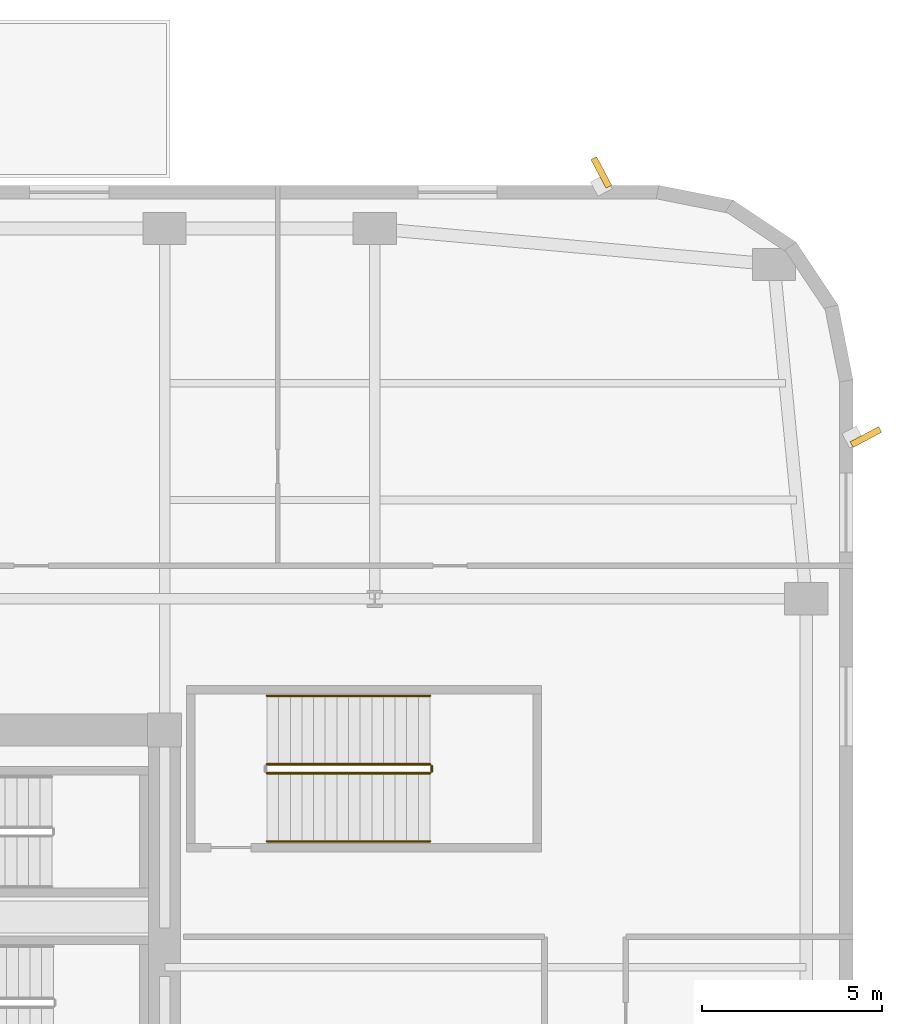
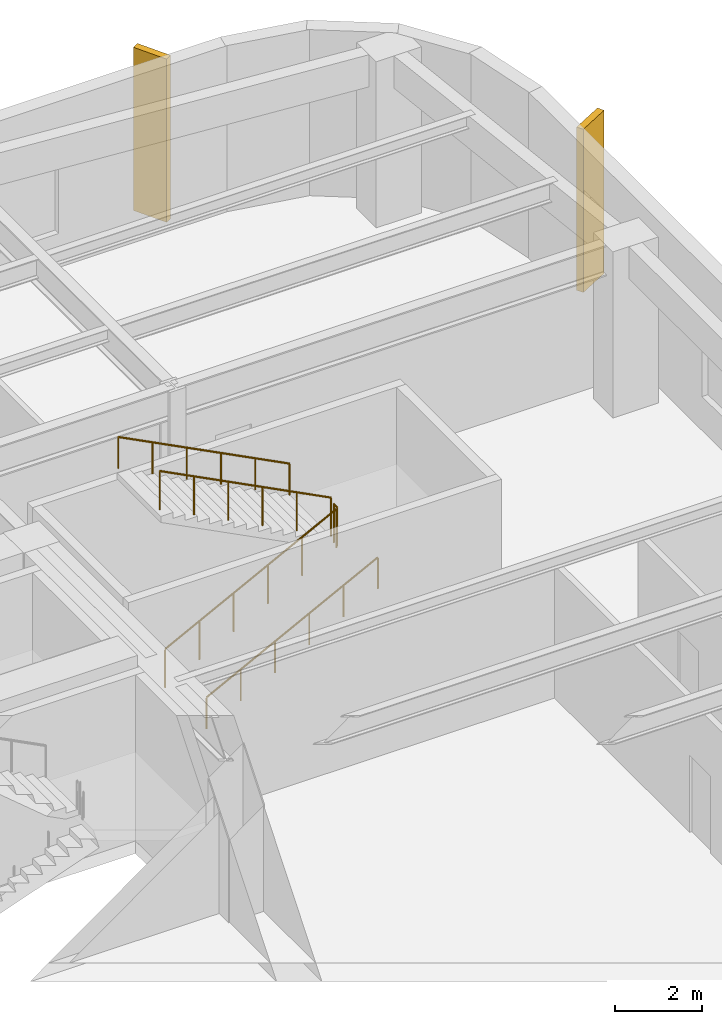
# One storey, part 24 of 24: 5 railings, 2 shading devices.
"""IFC4 building model written with IfcOpenShell, lengths in metres."""

from ifc_helpers import new_model, si_unit, direction, frame, origin, origin_2d, place, context, subcontext, project, spatial, rectangle, circle, extrude, material, type_object, element, save


model = new_model("IFC4")

# Units and contexts
model_context = context("Model", 3, precision=1e-05, world=origin(), true_north=direction((0.0, 1.0)))
body_context = subcontext(model_context, "Body", "Model", "MODEL_VIEW")
ifc_project = project(units=[si_unit("LENGTHUNIT", "METRE"), si_unit("AREAUNIT", "SQUARE_METRE"), si_unit("VOLUMEUNIT", "CUBIC_METRE"), si_unit("PLANEANGLEUNIT", "RADIAN"), si_unit("MASSUNIT", "GRAM", prefix="KILO")], contexts=[model_context])

# Site, building, storey
site_placement = place(None, origin())
site = spatial("IfcSite", under=ifc_project, at=site_placement, CompositionType="ELEMENT")
building_placement = place(site_placement, origin())
building = spatial("IfcBuilding", under=site, at=building_placement, Name="Kolvaren Arena Tower", CompositionType="ELEMENT")
storey_placement = place(building_placement, frame((0.0, 0.0, 8.0)))
storey = spatial("IfcBuildingStorey", under=building, at=storey_placement, Name="L01", CompositionType="ELEMENT", Elevation=8.0)

# Railings
ifc_material_1 = material(Name="Painted galvanized steel", Category="steel")
railing_type_1 = type_object("IfcRailingType", Name="GUARD-ST-110", PredefinedType="GUARDRAIL", material=ifc_material_1)
railing_1_placement = place(storey_placement, frame((63.199951171875, 38.14990234375, 0.166748046875)))
element("IfcRailing", 1, at=railing_1_placement, inside=storey, type_object=railing_type_1, Name="L01 ST-A8 stair guard 1", PredefinedType="GUARDRAIL", context=body_context, shape_type="SweptSolid", body=[
    extrude(circle(Radius=0.02392578125, at=origin_2d()), frame((0.0, 0.0, 1.076171875), z_axis=(0.889257211316, 0.0, 0.457407490234), x_axis=(0.0, 1.0, 0.0)), (0.0, 0.0, 1.0), 5.10107421875),
    extrude(circle(Radius=0.02099609375, at=origin_2d()), origin(), (0.0, 0.0, 1.0), 1.052001953125),
    extrude(circle(Radius=0.02099609375, at=origin_2d()), frame((0.9072265625, 0.0, 0.466552734375)), (0.0, 0.0, 1.0), 1.052001953125),
    extrude(circle(Radius=0.02099609375, at=origin_2d()), frame((1.814453125, 0.0, 0.933349609375)), (0.0, 0.0, 1.0), 1.052001953125),
    extrude(circle(Radius=0.02099609375, at=origin_2d()), frame((2.7216796875, 0.0, 1.39990234375)), (0.0, 0.0, 1.0), 1.052001953125),
    extrude(circle(Radius=0.02099609375, at=origin_2d()), frame((3.62890625, 0.0, 1.86669921875)), (0.0, 0.0, 1.0), 1.052001953125),
    extrude(circle(Radius=0.02099609375, at=origin_2d()), frame((4.5361328125, 0.0, 2.333251953125)), (0.0, 0.0, 1.0), 1.052001953125),
])
railing_2_placement = place(storey_placement, frame((67.785888671875, 38.199951171875, 2.5)))
element("IfcRailing", 2, at=railing_2_placement, inside=storey, type_object=railing_type_1, Name="L01 ST-A8 stair guard 2", PredefinedType="GUARDRAIL", context=body_context, shape_type="SweptSolid", body=[
    extrude(circle(Radius=0.02392578125, at=origin_2d()), frame((0.0, 0.0, 1.076171875), z_axis=(0.0, 1.0, 0.0), x_axis=(-1.0, 0.0, 0.0)), (0.0, 0.0, 1.0), 0.150146484375),
    extrude(circle(Radius=0.02099609375, at=origin_2d()), origin(), (0.0, 0.0, 1.0), 1.052001953125),
    extrude(circle(Radius=0.02099609375, at=origin_2d()), frame((0.0, 0.150146484375, 0.0)), (0.0, 0.0, 1.0), 1.052001953125),
])
railing_3_placement = place(storey_placement, frame((67.736083984375, 38.39990234375, 2.666748046875)))
element("IfcRailing", 3, at=railing_3_placement, inside=storey, type_object=railing_type_1, Name="L01 ST-A8 stair guard 3", PredefinedType="GUARDRAIL", context=body_context, shape_type="SweptSolid", body=[
    extrude(circle(Radius=0.02392578125, at=origin_2d()), frame((0.0, 0.0, 1.076171875), z_axis=(-0.889257211316, 0.0, 0.457407490234), x_axis=(0.0, -1.0, 0.0)), (0.0, 0.0, 1.0), 5.10107421875),
    extrude(circle(Radius=0.02099609375, at=origin_2d()), origin(), (0.0, 0.0, 1.0), 1.052001953125),
    extrude(circle(Radius=0.02099609375, at=origin_2d()), frame((-0.9072265625, 0.0, 0.466552734375)), (0.0, 0.0, 1.0), 1.052001953125),
    extrude(circle(Radius=0.02099609375, at=origin_2d()), frame((-1.814453125, 0.0, 0.933349609375)), (0.0, 0.0, 1.0), 1.052001953125),
    extrude(circle(Radius=0.02099609375, at=origin_2d()), frame((-2.7216796875, 0.0, 1.39990234375)), (0.0, 0.0, 1.0), 1.052001953125),
    extrude(circle(Radius=0.02099609375, at=origin_2d()), frame((-3.62890625, 0.0, 1.86669921875)), (0.0, 0.0, 1.0), 1.052001953125),
    extrude(circle(Radius=0.02099609375, at=origin_2d()), frame((-4.5361328125, 0.0, 2.333251953125)), (0.0, 0.0, 1.0), 1.052001953125),
])
ifc_material_2 = material(Name="Brushed stainless steel handrail", Category="steel")
railing_type_2 = type_object("IfcRailingType", Name="HRAIL-900", PredefinedType="HANDRAIL", material=ifc_material_2)
railing_4_placement = place(storey_placement, frame((63.199951171875, 36.25, 0.166748046875)))
element("IfcRailing", 4, at=railing_4_placement, inside=storey, type_object=railing_type_2, Name="L01 ST-A8 stair handrail 1", PredefinedType="HANDRAIL", context=body_context, shape_type="SweptSolid", body=[
    extrude(circle(Radius=0.02392578125, at=origin_2d()), frame((0.0, 0.0, 0.8759765625), z_axis=(0.889257211316, 0.0, 0.457407490234), x_axis=(0.0, 1.0, 0.0)), (0.0, 0.0, 1.0), 5.10107421875),
    extrude(circle(Radius=0.02099609375, at=origin_2d()), origin(), (0.0, 0.0, 1.0), 0.851806640625),
    extrude(circle(Radius=0.02099609375, at=origin_2d()), frame((0.9072265625, 0.0, 0.466552734375)), (0.0, 0.0, 1.0), 0.851806640625),
    extrude(circle(Radius=0.02099609375, at=origin_2d()), frame((1.814453125, 0.0, 0.933349609375)), (0.0, 0.0, 1.0), 0.851806640625),
    extrude(circle(Radius=0.02099609375, at=origin_2d()), frame((2.7216796875, 0.0, 1.39990234375)), (0.0, 0.0, 1.0), 0.851806640625),
    extrude(circle(Radius=0.02099609375, at=origin_2d()), frame((3.62890625, 0.0, 1.86669921875)), (0.0, 0.0, 1.0), 0.851806640625),
    extrude(circle(Radius=0.02099609375, at=origin_2d()), frame((4.5361328125, 0.0, 2.333251953125)), (0.0, 0.0, 1.0), 0.851806640625),
])
railing_5_placement = place(storey_placement, frame((67.736083984375, 40.300048828125, 2.666748046875)))
element("IfcRailing", 5, at=railing_5_placement, inside=storey, type_object=railing_type_2, Name="L01 ST-A8 stair handrail 2", PredefinedType="HANDRAIL", context=body_context, shape_type="SweptSolid", body=[
    extrude(circle(Radius=0.02392578125, at=origin_2d()), frame((0.0, 0.0, 0.8759765625), z_axis=(-0.889257211316, 0.0, 0.457407490234), x_axis=(0.0, -1.0, 0.0)), (0.0, 0.0, 1.0), 5.10107421875),
    extrude(circle(Radius=0.02099609375, at=origin_2d()), origin(), (0.0, 0.0, 1.0), 0.851806640625),
    extrude(circle(Radius=0.02099609375, at=origin_2d()), frame((-0.9072265625, 0.0, 0.466552734375)), (0.0, 0.0, 1.0), 0.851806640625),
    extrude(circle(Radius=0.02099609375, at=origin_2d()), frame((-1.814453125, 0.0, 0.933349609375)), (0.0, 0.0, 1.0), 0.851806640625),
    extrude(circle(Radius=0.02099609375, at=origin_2d()), frame((-2.7216796875, 0.0, 1.39990234375)), (0.0, 0.0, 1.0), 0.851806640625),
    extrude(circle(Radius=0.02099609375, at=origin_2d()), frame((-3.62890625, 0.0, 1.86669921875)), (0.0, 0.0, 1.0), 0.851806640625),
    extrude(circle(Radius=0.02099609375, at=origin_2d()), frame((-4.5361328125, 0.0, 2.333251953125)), (0.0, 0.0, 1.0), 0.851806640625),
])

# Shading devices
ifc_material_3 = material(Name="Precast architectural concrete C50/60 rib fin", Category="concrete")
shading_device_type = type_object("IfcShadingDeviceType", Name="SHAD-FIN-28", PredefinedType="USERDEFINED", material=ifc_material_3)
for number, where, z_axis, x_axis, name in (
    (6, (79.860107421875, 47.5, 0.02001953125), (0.0, 0.0, 1.0), (0.882947592859, 0.469471562786, 0.0), "Arena Podium 28-Deg Precast Fin (L01)"),
    (7, (72.5, 54.860107421875, 0.02001953125), (0.0, 0.0, 1.0), (-0.469471562786, 0.882947592859, 0.0), "Arena Podium 28-Deg Precast Fin (L01)"),
):
    element("IfcShadingDevice", number, at=place(storey_placement, frame(where, z_axis=z_axis, x_axis=x_axis)), inside=storey, type_object=shading_device_type, Name=name, ObjectType="FIN", PredefinedType="USERDEFINED", context=body_context, shape_type="SweptSolid", body=[
        extrude(rectangle(XDim=0.89990234375, YDim=0.179931640625, at=origin_2d()), origin(), (0.0, 0.0, 1.0), 4.570068359375),
    ])

save(model, "model.ifc")
